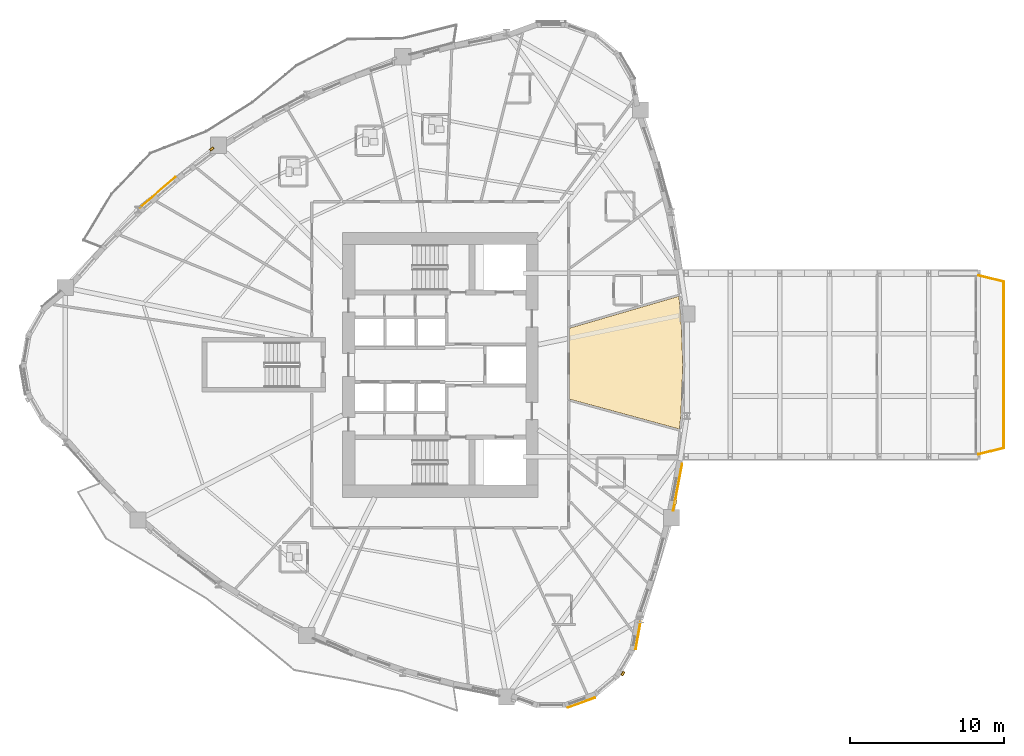
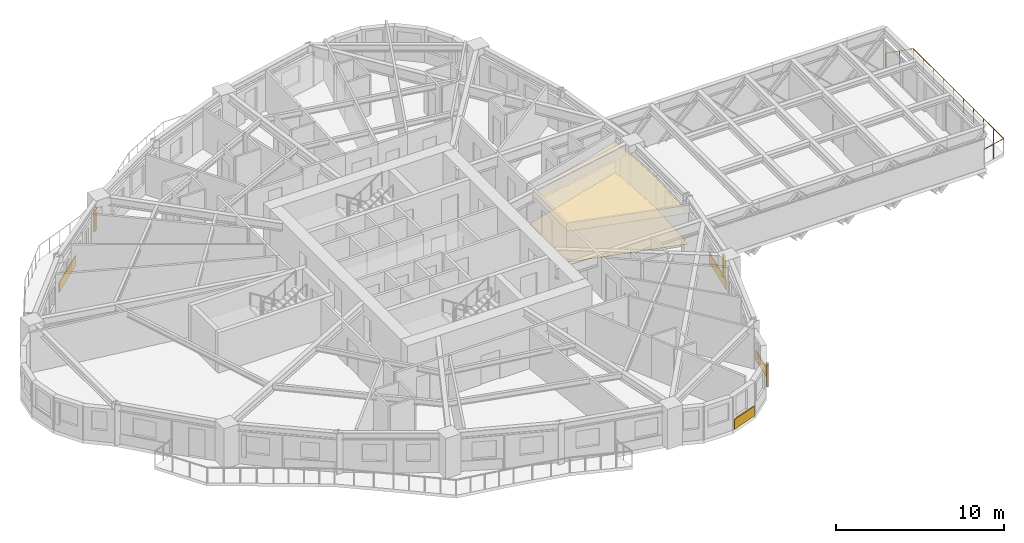
# One storey, part 14 of 16: 6 coverings, 3 shading devices, 1 railing.
"""IFC4 building model written with IfcOpenShell, lengths in metres."""

from ifc_helpers import new_model, si_unit, direction, frame, origin, origin_2d, place, context, subcontext, project, spatial, polyline, rectangle, circle, outline, extrude, source, transform, mapped, material, layer, layer_set, type_object, element, save


model = new_model("IFC4")

# Units and contexts
model_context = context("Model", 3, precision=1e-05, world=origin(), true_north=direction((0.0, 1.0)))
body_context = subcontext(model_context, "Body", "Model", "MODEL_VIEW")
ifc_project = project(units=[si_unit("LENGTHUNIT", "METRE"), si_unit("AREAUNIT", "SQUARE_METRE"), si_unit("VOLUMEUNIT", "CUBIC_METRE"), si_unit("PLANEANGLEUNIT", "RADIAN"), si_unit("MASSUNIT", "GRAM", prefix="KILO")], contexts=[model_context])

# Site, building, storey
site_placement = place(None, origin())
site = spatial("IfcSite", under=ifc_project, at=site_placement, CompositionType="ELEMENT")
building_placement = place(site_placement, origin())
building = spatial("IfcBuilding", under=site, at=building_placement, Name="Qafzar Sky-Pleat Residences", CompositionType="ELEMENT")
storey_placement = place(building_placement, frame((0.0, 0.0, 30.199951171875)))
storey = spatial("IfcBuildingStorey", under=building, at=storey_placement, Name="L08", CompositionType="ELEMENT", Elevation=30.199951171875)

# Coverings
ifc_material_1 = material(Name="Perforated acoustic gypsum board ceiling")
ifc_layer_1 = layer(ifc_material_1, 0.02001953125)
ifc_layer_set_1 = layer_set([ifc_layer_1], Name="Perforated acoustic gypsum board ceiling")
covering_type_1 = type_object("IfcCoveringType", Name="COV-CEIL-ACOUSTIC", PredefinedType="CEILING", material=ifc_layer_set_1)
covering_1_placement = place(storey_placement, frame((0.0, 0.0, 2.239990234375)))
element("IfcCovering", 1, at=covering_1_placement, inside=storey, type_object=covering_type_1, Name="L08 Co-Living Lounge Acoustic Ceiling", PredefinedType="CEILING", context=body_context, shape_type="SweptSolid", body=[
    extrude(outline(polyline([(45.961181640625, 29.276123046875), (46.0859375, 26.0), (45.961181640625, 22.723876953125), (45.860107421875, 21.835205078125), (38.739990234375, 23.775634765625), (38.739990234375, 28.38427734375), (45.827392578125, 30.451416015625), (45.961181640625, 29.276123046875)])), origin(), (0.0, 0.0, 1.0), 0.02001953125),
])
ifc_material_2 = material(Name="Honed porcelain and Riyadh stone tile flooring", Category="masonry")
ifc_layer_2 = layer(ifc_material_2, 0.02001953125)
ifc_layer_set_2 = layer_set([ifc_layer_2], Name="Honed porcelain and Riyadh stone tile flooring")
covering_type_2 = type_object("IfcCoveringType", Name="COV-FLR-PORCELAIN", PredefinedType="FLOORING", material=ifc_layer_set_2)
covering_2_placement = place(storey_placement, origin())
element("IfcCovering", 2, at=covering_2_placement, inside=storey, type_object=covering_type_2, Name="L08 Co-Living Lounge Honed Stone Flooring", PredefinedType="FLOORING", context=body_context, shape_type="SweptSolid", body=[
    extrude(outline(polyline([(45.961181640625, 29.276123046875), (46.0859375, 26.0), (45.961181640625, 22.723876953125), (45.860107421875, 21.835205078125), (38.739990234375, 23.775634765625), (38.739990234375, 28.38427734375), (45.827392578125, 30.451416015625), (45.961181640625, 29.276123046875)])), origin(), (0.0, 0.0, 1.0), 0.02001953125),
])

# Shading devices
ifc_material_3 = material(Name="Honed Riyadh limestone solar fin", Category="masonry")
ifc_layer_3 = layer(ifc_material_3, 0.139892578125)
ifc_layer_set_3 = layer_set([ifc_layer_3], Name="Honed Riyadh limestone solar fin")
shading_device_type = type_object("IfcShadingDeviceType", Name="SHD-FIN-STONE", PredefinedType="SHUTTER", material=ifc_layer_set_3)
shared_shape_1 = source(origin(), body_context, "Body", "SweptSolid", [
    extrude(rectangle(XDim=0.139892578125, YDim=0.280029296875, at=origin_2d()), origin(), (0.0, 0.0, 1.0), 1.60009765625),
])
for number, where, z_axis, x_axis, name in (
    (3, (42.1953125, 5.968505859375, 0.60009765625), (0.0, 0.0, 1.0), (0.86604422228, -0.499967403994, 0.0), "L08 Limestone Solar Fin 21"),
    (4, (45.61474609375, 17.097900390625, 0.60009765625), (0.0, 0.0, 1.0), (0.982420909967, -0.186679285565, 0.0), "L08 Limestone Solar Fin 25"),
    (5, (15.524658203125, 40.009033203125, 0.60009765625), (0.0, 0.0, 1.0), (-0.594881837861, 0.803813161738, 0.0), "L08 Limestone Solar Fin 45"),
):
    element("IfcShadingDevice", number, at=place(storey_placement, frame(where, z_axis=z_axis, x_axis=x_axis)), inside=storey, type_object=shading_device_type, Name=name, PredefinedType="SHUTTER", context=body_context, shape_type="MappedRepresentation", body=[
        mapped(shared_shape_1, transform((0.0, 0.0, 0.0), x_axis=(1.0, 0.0, 0.0), y_axis=(0.0, 1.0, 0.0), z_axis=(0.0, 0.0, 1.0), scale=1.0)),
    ])

# Coverings
ifc_material_4 = material(Name="Honed Riyadh Tuwaiq limestone cladding", Category="masonry")
ifc_layer_4 = layer(ifc_material_4, 0.044921875)
ifc_layer_set_4 = layer_set([ifc_layer_4], Name="Honed Riyadh Tuwaiq limestone cladding")
covering_type_3 = type_object("IfcCoveringType", Name="COV-CLAD-STONE", PredefinedType="CLADDING", material=ifc_layer_set_4)
shared_shape_2 = source(origin(), body_context, "Body", "SweptSolid", [
    extrude(rectangle(XDim=1.8291015625, YDim=0.044921875, at=origin_2d()), origin(), (0.0, 0.0, 1.0), 0.719970703125),
])
covering_3_placement = place(storey_placement, frame((43.186767578125, 8.443359375, 0.02001953125), z_axis=(0.0, 0.0, 1.0), x_axis=(0.17364778674, 0.984807821943, 0.0)))
element("IfcCovering", 6, at=covering_3_placement, inside=storey, type_object=covering_type_3, Name="L08 Riyadh Limestone Spandrel Cladding 22", PredefinedType="CLADDING", context=body_context, shape_type="MappedRepresentation", body=[
    mapped(shared_shape_2, transform((0.0, 0.0, 0.0), x_axis=(1.0, 0.0, 0.0), y_axis=(0.0, 1.0, 0.0), z_axis=(0.0, 0.0, 1.0), scale=1.0)),
])
shared_shape_3 = source(origin(), body_context, "Body", "SweptSolid", [
    extrude(rectangle(XDim=1.881103515625, YDim=0.044921875, at=origin_2d()), origin(), (0.0, 0.0, 1.0), 0.719970703125),
])
covering_4_placement = place(storey_placement, frame((39.506103515625, 4.07958984375, 0.02001953125), z_axis=(0.0, 0.0, 1.0), x_axis=(0.939715179222, 0.34195815817, 0.0)))
element("IfcCovering", 7, at=covering_4_placement, inside=storey, type_object=covering_type_3, Name="L08 Riyadh Limestone Spandrel Cladding 19", PredefinedType="CLADDING", context=body_context, shape_type="MappedRepresentation", body=[
    mapped(shared_shape_3, transform((0.0, 0.0, 0.0), x_axis=(1.0, 0.0, 0.0), y_axis=(0.0, 1.0, 0.0), z_axis=(0.0, 0.0, 1.0), scale=1.0)),
])
shared_shape_4 = source(origin(), body_context, "Body", "SweptSolid", [
    extrude(rectangle(XDim=3.10107421875, YDim=0.044921875, at=origin_2d()), origin(), (0.0, 0.0, 1.0), 0.719970703125),
])
covering_5_placement = place(storey_placement, frame((45.75439453125, 18.063720703125, 0.02001953125), z_axis=(0.0, 0.0, 1.0), x_axis=(0.186669329161, 0.982422801828, 0.0)))
element("IfcCovering", 8, at=covering_5_placement, inside=storey, type_object=covering_type_3, Name="L08 Riyadh Limestone Spandrel Cladding 25", PredefinedType="CLADDING", context=body_context, shape_type="MappedRepresentation", body=[
    mapped(shared_shape_4, transform((0.0, 0.0, 0.0), x_axis=(1.0, 0.0, 0.0), y_axis=(0.0, 1.0, 0.0), z_axis=(0.0, 0.0, 1.0), scale=1.0)),
])
shared_shape_5 = source(origin(), body_context, "Body", "SweptSolid", [
    extrude(rectangle(XDim=3.04541015625, YDim=0.044921875, at=origin_2d()), origin(), (0.0, 0.0, 1.0), 0.719970703125),
])
covering_6_placement = place(storey_placement, frame((12.01416015625, 37.20458984375, 0.02001953125), z_axis=(0.0, 0.0, 1.0), x_axis=(-0.757465901531, -0.652874726129, 0.0)))
element("IfcCovering", 9, at=covering_6_placement, inside=storey, type_object=covering_type_3, Name="L08 Riyadh Limestone Spandrel Cladding 46", PredefinedType="CLADDING", context=body_context, shape_type="MappedRepresentation", body=[
    mapped(shared_shape_5, transform((0.0, 0.0, 0.0), x_axis=(1.0, 0.0, 0.0), y_axis=(0.0, 1.0, 0.0), z_axis=(0.0, 0.0, 1.0), scale=1.0)),
])

# Railing
ifc_material_5 = material(Name="Laminated glass and bronze steel balustrade", Category="steel")
railing_type = type_object("IfcRailingType", Name="RAIL-BAL-1100", PredefinedType="BALUSTRADE", material=ifc_material_5)
shared_shape_6 = source(origin(), body_context, "Body", "SweptSolid", [
    extrude(circle(Radius=0.02392578125, at=origin_2d()), frame((0.0, 0.0, 1.076171875), z_axis=(0.971333546133, 0.237720723027, 0.0), x_axis=(-0.237720723027, 0.971333546133, 0.0)), (0.0, 0.0, 1.0), 1.683349609375),
    extrude(circle(Radius=0.02392578125, at=origin_2d()), frame((1.635009765625, 0.400146484375, 1.076171875), z_axis=(0.0, 1.0, 0.0), x_axis=(-1.0, 0.0, 0.0)), (0.0, 0.0, 1.0), 10.7998046875),
    extrude(circle(Radius=0.02392578125, at=origin_2d()), frame((1.635009765625, 11.199951171875, 1.076171875), z_axis=(-0.971333546133, 0.237720723027, 0.0), x_axis=(-0.237720723027, -0.971333546133, 0.0)), (0.0, 0.0, 1.0), 1.683349609375),
    extrude(circle(Radius=0.02099609375, at=origin_2d()), origin(), (0.0, 0.0, 1.0), 1.052001953125),
    extrude(circle(Radius=0.02099609375, at=origin_2d()), frame((0.8173828125, 0.2001953125, 0.0)), (0.0, 0.0, 1.0), 1.052001953125),
    extrude(circle(Radius=0.02099609375, at=origin_2d()), frame((1.635009765625, 0.400146484375, 0.0)), (0.0, 0.0, 1.0), 1.052001953125),
    extrude(circle(Radius=0.02099609375, at=origin_2d()), frame((1.635009765625, 1.60009765625, 0.0)), (0.0, 0.0, 1.0), 1.052001953125),
    extrude(circle(Radius=0.02099609375, at=origin_2d()), frame((1.635009765625, 2.800048828125, 0.0)), (0.0, 0.0, 1.0), 1.052001953125),
    extrude(circle(Radius=0.02099609375, at=origin_2d()), frame((1.635009765625, 4.0, 0.0)), (0.0, 0.0, 1.0), 1.052001953125),
    extrude(circle(Radius=0.02099609375, at=origin_2d()), frame((1.635009765625, 5.199951171875, 0.0)), (0.0, 0.0, 1.0), 1.052001953125),
    extrude(circle(Radius=0.02099609375, at=origin_2d()), frame((1.635009765625, 6.400146484375, 0.0)), (0.0, 0.0, 1.0), 1.052001953125),
    extrude(circle(Radius=0.02099609375, at=origin_2d()), frame((1.635009765625, 7.60009765625, 0.0)), (0.0, 0.0, 1.0), 1.052001953125),
    extrude(circle(Radius=0.02099609375, at=origin_2d()), frame((1.635009765625, 8.800048828125, 0.0)), (0.0, 0.0, 1.0), 1.052001953125),
    extrude(circle(Radius=0.02099609375, at=origin_2d()), frame((1.635009765625, 10.0, 0.0)), (0.0, 0.0, 1.0), 1.052001953125),
    extrude(circle(Radius=0.02099609375, at=origin_2d()), frame((1.635009765625, 11.199951171875, 0.0)), (0.0, 0.0, 1.0), 1.052001953125),
    extrude(circle(Radius=0.02099609375, at=origin_2d()), frame((0.8173828125, 11.39990234375, 0.0)), (0.0, 0.0, 1.0), 1.052001953125),
    extrude(circle(Radius=0.02099609375, at=origin_2d()), frame((0.0, 11.60009765625, 0.0)), (0.0, 0.0, 1.0), 1.052001953125),
])
railing_placement = place(storey_placement, frame((65.26953125, 20.199951171875, 0.0)))
element("IfcRailing", 10, at=railing_placement, inside=storey, type_object=railing_type, Name="L08 SB-1 Tip Observation Balcony Balustrade", PredefinedType="BALUSTRADE", context=body_context, shape_type="MappedRepresentation", body=[
    mapped(shared_shape_6, transform((0.0, 0.0, 0.0), x_axis=(1.0, 0.0, 0.0), y_axis=(0.0, 1.0, 0.0), z_axis=(0.0, 0.0, 1.0), scale=1.0)),
])

save(model, "model.ifc")
